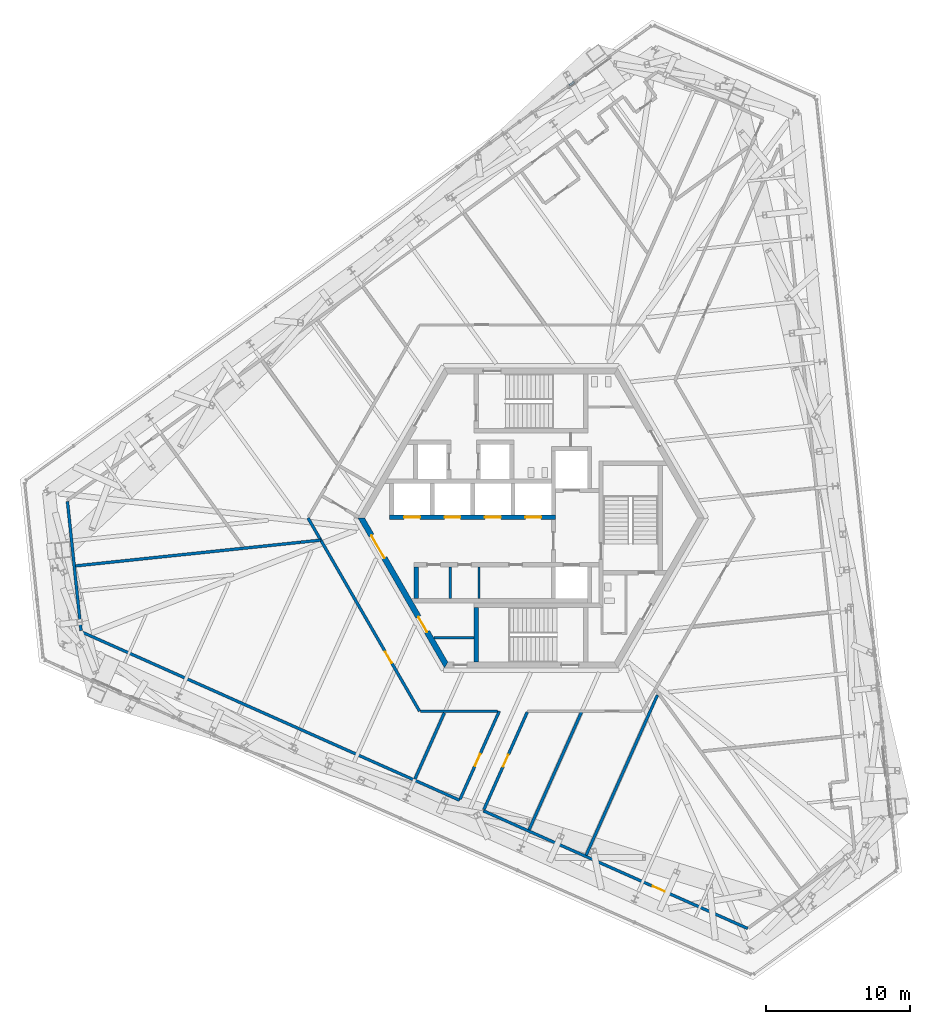
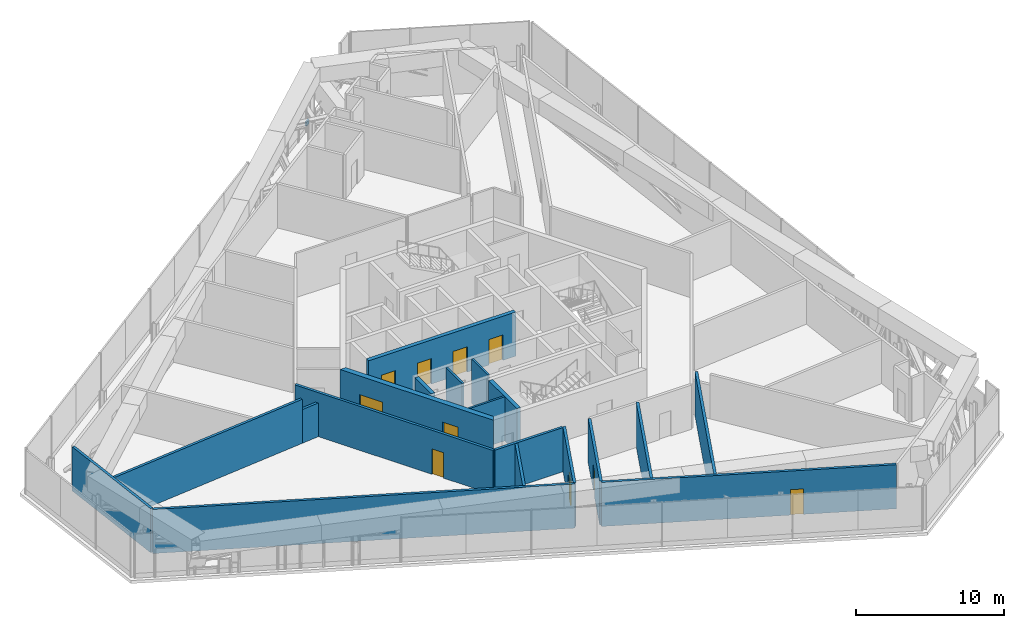
# One storey, part 17 of 30: 19 walls, 10 doors, 1 plate, 10 openings, 1 element without a shape of its own.
"""IFC4 building model written with IfcOpenShell, lengths in metres."""

from ifc_helpers import new_model, si_unit, direction, frame, frame_2d, origin, origin_2d, place, context, subcontext, project, spatial, polyline, rectangle, outline, extrude, source, transform, mapped, material, layer, layer_set, type_object, element, fill, aggregate, save


model = new_model("IFC4")

# Units and contexts
model_context = context("Model", 3, precision=1e-05, world=origin(), true_north=direction((0.0, 1.0)))
body_context = subcontext(model_context, "Body", "Model", "MODEL_VIEW")
ifc_project = project(units=[si_unit("LENGTHUNIT", "METRE"), si_unit("AREAUNIT", "SQUARE_METRE"), si_unit("VOLUMEUNIT", "CUBIC_METRE"), si_unit("PLANEANGLEUNIT", "RADIAN"), si_unit("MASSUNIT", "GRAM", prefix="KILO")], contexts=[model_context])

# Site, building, storey
site_placement = place(None, origin())
site = spatial("IfcSite", under=ifc_project, at=site_placement, CompositionType="ELEMENT")
building_placement = place(site_placement, origin())
building = spatial("IfcBuilding", under=site, at=building_placement, Name="Triune Harvest Tower", CompositionType="ELEMENT")
storey_placement = place(building_placement, frame((0.0, 0.0, 94.5)))
storey = spatial("IfcBuildingStorey", under=building, at=storey_placement, Name="L23", CompositionType="ELEMENT", Elevation=94.5)

# Curtain wall, plate
ifc_material_1 = material(Name="Aluminium bronze anodised", Category="aluminium")
curtain_wall_type = type_object("IfcCurtainWallType", Name="CW-5 Plant louvre wall", PredefinedType="NOTDEFINED", material=ifc_material_1)
curtain_wall_placement = place(storey_placement, origin())
curtain_wall = element("IfcCurtainWall", 1, at=curtain_wall_placement, inside=storey, type_object=curtain_wall_type, Name="CW-5 B2-F3 L23 run 401")
ifc_material_2 = material(Name="Aluminium bronze anodised", Category="aluminium")
ifc_layer_1 = layer(ifc_material_2, 0.1201171875)
ifc_layer_set_1 = layer_set([ifc_layer_1], Name="Aluminium bronze anodised")
plate_type = type_object("IfcPlateType", Name="GL-5 panel 120", PredefinedType="CURTAIN_PANEL", material=ifc_layer_set_1)
shared_shape_1 = source(origin(), body_context, "Body", "SweptSolid", [
    extrude(rectangle(XDim=0.412841796875, YDim=0.1201171875, at=origin_2d()), origin(), (0.0, 0.0, 1.0), 0.363037109375),
])
plate_placement = place(storey_placement, frame((2.8271484375, 30.110107421875, 0.39990234375), z_axis=(0.0, 0.0, 1.0), x_axis=(-0.808977537151, -0.587839556669, 0.0)))
plate = element("IfcPlate", 2, at=plate_placement, type_object=plate_type, Name="CW-5 panel B2-F3 401.1", PredefinedType="CURTAIN_PANEL", context=body_context, shape_type="MappedRepresentation", body=[
    mapped(shared_shape_1, transform((0.0, 0.0, 0.0), scale=1.0)),
])
aggregate(curtain_wall, [plate])

# Wall
ifc_material_3 = material(Name="Concrete masonry unit", Category="masonry")
ifc_layer_2 = layer(ifc_material_3, 0.14990234375)
ifc_layer_set_2 = layer_set([ifc_layer_2], Name="Concrete masonry unit")
wall_type_1 = type_object("IfcWallType", Name="Block partition 150", PredefinedType="PARTITIONING", material=ifc_layer_set_2)
wall_1_placement = place(storey_placement, frame((-6.72705078125, -8.300048828125, 0.0), z_axis=(0.0, 0.0, 1.0), x_axis=(1.0, 0.0, 0.0)))
element("IfcWall", 3, at=wall_1_placement, inside=storey, type_object=wall_type_1, Name="Sw part wall", PredefinedType="PARTITIONING", context=body_context, shape_type="SweptSolid", body=[
    extrude(rectangle(XDim=2.777099609375, YDim=0.14990234375, at=frame_2d((1.388671875, 0.0))), origin(), (0.0, 0.0, 1.0), 3.639892578125),
])

# Wall, openings, doors
ifc_material_4 = material(Name="Concrete 70 MPa", Category="concrete")
ifc_layer_3 = layer(ifc_material_4, 0.300048828125)
ifc_layer_set_3 = layer_set([ifc_layer_3], Name="Concrete 70 MPa")
wall_type_2 = type_object("IfcWallType", Name="Core wall 300", PredefinedType="SHEAR", material=ifc_layer_set_3)
wall_2_placement = place(storey_placement, frame((-9.800048828125, 0.06005859375, 0.0), z_axis=(0.0, 0.0, 1.0), x_axis=(1.0, 0.0, 0.0)))
wall_2 = element("IfcWall", 4, at=wall_2_placement, inside=storey, type_object=wall_type_2, Name="North front wall", PredefinedType="SHEAR", context=body_context, shape_type="SweptSolid", body=[
    extrude(rectangle(XDim=11.5, YDim=0.300048828125, at=frame_2d((5.75, 0.0))), origin(), (0.0, 0.0, 1.0), 3.639892578125),
])
opening_1_placement = place(wall_2_placement, frame((1.0, 0.0, 0.0)))
opening_1 = element("IfcOpeningElement", 5, at=opening_1_placement, cuts=wall_2, Name="Opening LD-LR1-23", PredefinedType="OPENING", context=body_context, shape_type="SweptSolid", body=[
    extrude(rectangle(XDim=1.10009765625, YDim=2.10009765625, at=frame_2d((0.550048828125, 1.050048828125))), frame((0.0, 0.16015625, 0.0), z_axis=(0.0, -1.0, 0.0), x_axis=(1.0, 0.0, 0.0)), (0.0, 0.0, 1.0), 0.320068359375),
])
opening_2_placement = place(wall_2_placement, frame((3.800048828125, 0.0, 0.0)))
opening_2 = element("IfcOpeningElement", 6, at=opening_2_placement, cuts=wall_2, Name="Opening LD-LR2-23", PredefinedType="OPENING", context=body_context, shape_type="SweptSolid", body=[
    extrude(rectangle(XDim=1.10009765625, YDim=2.10009765625, at=frame_2d((0.550048828125, 1.050048828125))), frame((0.0, 0.16015625, 0.0), z_axis=(0.0, -1.0, 0.0), x_axis=(1.0, 0.0, 0.0)), (0.0, 0.0, 1.0), 0.320068359375),
])
opening_3_placement = place(wall_2_placement, frame((6.60009765625, 0.0, 0.0)))
opening_3 = element("IfcOpeningElement", 7, at=opening_3_placement, cuts=wall_2, Name="Opening LD-LR3-23", PredefinedType="OPENING", context=body_context, shape_type="SweptSolid", body=[
    extrude(rectangle(XDim=1.10009765625, YDim=2.10009765625, at=frame_2d((0.550048828125, 1.050048828125))), frame((0.0, 0.16015625, 0.0), z_axis=(0.0, -1.0, 0.0), x_axis=(1.0, 0.0, 0.0)), (0.0, 0.0, 1.0), 0.320068359375),
])
opening_4_placement = place(wall_2_placement, frame((9.39990234375, 0.0, 0.0)))
opening_4 = element("IfcOpeningElement", 8, at=opening_4_placement, cuts=wall_2, Name="Opening LD-LR4-23", PredefinedType="OPENING", context=body_context, shape_type="SweptSolid", body=[
    extrude(rectangle(XDim=1.10009765625, YDim=2.10009765625, at=frame_2d((0.550048828125, 1.050048828125))), frame((0.0, 0.16015625, 0.0), z_axis=(0.0, -1.0, 0.0), x_axis=(1.0, 0.0, 0.0)), (0.0, 0.0, 1.0), 0.320068359375),
])
ifc_material_5 = material(Name="Stainless steel AISI 304", Category="steel")
door_type_1 = type_object("IfcDoorType", Name="Landing door 1100 x 2100", OperationType="DOUBLE_DOOR_SLIDING", PredefinedType="DOOR", material=ifc_material_5)
door_1_placement = place(opening_1_placement, origin())
door_1 = element("IfcDoor", 9, at=door_1_placement, inside=storey, type_object=door_type_1, Name="Door LD-LR1-23", OperationType="DOUBLE_DOOR_SLIDING", OverallHeight=2.10009765625, OverallWidth=1.10009765625, PredefinedType="DOOR", context=body_context, shape_type="SweptSolid", body=[
    extrude(rectangle(XDim=1.10009765625, YDim=2.10009765625, at=frame_2d((0.550048828125, 1.050048828125))), frame((0.0, 0.02490234375, 0.0), z_axis=(0.0, -1.0, 0.0), x_axis=(1.0, 0.0, 0.0)), (0.0, 0.0, 1.0), 0.050048828125),
])
fill(opening_1, door_1)
door_2_placement = place(opening_2_placement, origin())
door_2 = element("IfcDoor", 10, at=door_2_placement, inside=storey, type_object=door_type_1, Name="Door LD-LR2-23", OperationType="DOUBLE_DOOR_SLIDING", OverallHeight=2.10009765625, OverallWidth=1.10009765625, PredefinedType="DOOR", context=body_context, shape_type="SweptSolid", body=[
    extrude(rectangle(XDim=1.10009765625, YDim=2.10009765625, at=frame_2d((0.550048828125, 1.050048828125))), frame((0.0, 0.02490234375, 0.0), z_axis=(0.0, -1.0, 0.0), x_axis=(1.0, 0.0, 0.0)), (0.0, 0.0, 1.0), 0.050048828125),
])
fill(opening_2, door_2)
door_3_placement = place(opening_3_placement, origin())
door_3 = element("IfcDoor", 11, at=door_3_placement, inside=storey, type_object=door_type_1, Name="Door LD-LR3-23", OperationType="DOUBLE_DOOR_SLIDING", OverallHeight=2.10009765625, OverallWidth=1.10009765625, PredefinedType="DOOR", context=body_context, shape_type="SweptSolid", body=[
    extrude(rectangle(XDim=1.10009765625, YDim=2.10009765625, at=frame_2d((0.550048828125, 1.050048828125))), frame((0.0, 0.02490234375, 0.0), z_axis=(0.0, -1.0, 0.0), x_axis=(1.0, 0.0, 0.0)), (0.0, 0.0, 1.0), 0.050048828125),
])
fill(opening_3, door_3)
door_4_placement = place(opening_4_placement, origin())
door_4 = element("IfcDoor", 12, at=door_4_placement, inside=storey, type_object=door_type_1, Name="Door LD-LR4-23", OperationType="DOUBLE_DOOR_SLIDING", OverallHeight=2.10009765625, OverallWidth=1.10009765625, PredefinedType="DOOR", context=body_context, shape_type="SweptSolid", body=[
    extrude(rectangle(XDim=1.10009765625, YDim=2.10009765625, at=frame_2d((0.550048828125, 1.050048828125))), frame((0.0, 0.02490234375, 0.0), z_axis=(0.0, -1.0, 0.0), x_axis=(1.0, 0.0, 0.0)), (0.0, 0.0, 1.0), 0.050048828125),
])
fill(opening_4, door_4)

# Wall
ifc_material_6 = material(Name="Gypsum board on steel studs", Category="steel")
ifc_layer_4 = layer(ifc_material_6, 0.199951171875)
ifc_layer_set_4 = layer_set([ifc_layer_4], Name="Gypsum board on steel studs")
wall_type_3 = type_object("IfcWallType", Name="Fire Wall 200 mm", PredefinedType="PARTITIONING", material=ifc_layer_set_4)
wall_3_placement = place(storey_placement, frame((-32.143310546875, 1.154296875, 0.0), z_axis=(0.0, 0.0, 1.0), x_axis=(0.10452690595, -0.994522059048, 0.0)))
element("IfcWall", 13, at=wall_3_placement, inside=storey, type_object=wall_type_3, Name="Partition L23 001", PredefinedType="PARTITIONING", context=body_context, shape_type="SweptSolid", body=[
    extrude(rectangle(XDim=9.015625, YDim=0.199951171875, at=frame_2d((4.5078125, 0.0))), origin(), (0.0, 0.0, 1.0), 3.639892578125),
])

# Wall, opening, door
wall_4_placement = place(storey_placement, frame((-15.464111328125, 0.000244140625, 0.0), z_axis=(0.0, 0.0, 1.0), x_axis=(0.500010344094, -0.866019431537, 0.0)))
wall_4 = element("IfcWall", 14, at=wall_4_placement, inside=storey, type_object=wall_type_3, Name="Partition L23 006", PredefinedType="PARTITIONING", context=body_context, shape_type="SweptSolid", body=[
    extrude(rectangle(XDim=15.464599609375, YDim=0.199951171875, at=frame_2d((7.732421875, 0.0))), origin(), (0.0, 0.0, 1.0), 3.639892578125),
])
opening_5_placement = place(wall_4_placement, frame((10.705322265625, 0.0, 0.0)))
opening_5 = element("IfcOpeningElement", 15, at=opening_5_placement, cuts=wall_4, Name="Opening L23-015", PredefinedType="OPENING", context=body_context, shape_type="SweptSolid", body=[
    extrude(rectangle(XDim=0.89990234375, YDim=2.10009765625, at=frame_2d((0.449951171875, 1.050048828125))), frame((0.0, 0.10986328125, 0.0), z_axis=(0.0, -1.0, 0.0), x_axis=(1.0, 0.0, 0.0)), (0.0, 0.0, 1.0), 0.219970703125),
])
ifc_material_7 = material(Name="Timber and steel door set", Category="steel")
door_type_2 = type_object("IfcDoorType", Name="Single leaf door FD60 left hand 900 x 2100", OperationType="SINGLE_SWING_LEFT", PredefinedType="DOOR", material=ifc_material_7)
door_5_placement = place(opening_5_placement, origin())
door_5 = element("IfcDoor", 16, at=door_5_placement, inside=storey, type_object=door_type_2, Name="Door L23-015 Air Handling Plant Room 23.15", OperationType="SINGLE_SWING_LEFT", OverallHeight=2.10009765625, OverallWidth=0.89990234375, PredefinedType="DOOR", context=body_context, shape_type="SweptSolid", body=[
    extrude(rectangle(XDim=0.89990234375, YDim=2.10009765625, at=frame_2d((0.449951171875, 1.050048828125))), frame((0.0, 0.02490234375, 0.0), z_axis=(0.0, -1.0, 0.0), x_axis=(1.0, 0.0, 0.0)), (0.0, 0.0, 1.0), 0.050048828125),
])
fill(opening_5, door_5)

# Wall
wall_5_placement = place(storey_placement, frame((-31.193603515625, -7.881591796875, 0.0), z_axis=(0.0, 0.0, 1.0), x_axis=(0.913545309051, -0.406736976817, 0.0)))
element("IfcWall", 17, at=wall_5_placement, inside=storey, type_object=wall_type_3, Name="Partition L23 025", PredefinedType="PARTITIONING", context=body_context, shape_type="SweptSolid", body=[
    extrude(rectangle(XDim=28.72216796875, YDim=0.199951171875, at=frame_2d((14.361083984375, 0.0))), origin(), (0.0, 0.0, 1.0), 3.639892578125),
])

# Wall, opening, door
wall_6_placement = place(storey_placement, frame((-3.310302734375, -20.296142578125, 0.0), z_axis=(0.0, 0.0, 1.0), x_axis=(0.9135443523, -0.406739125707, 0.0)))
wall_6 = element("IfcWall", 18, at=wall_6_placement, inside=storey, type_object=wall_type_3, Name="Partition L23 026", PredefinedType="PARTITIONING", context=body_context, shape_type="SweptSolid", body=[
    extrude(rectangle(XDim=20.06005859375, YDim=0.199951171875, at=frame_2d((10.030029296875, 0.0))), origin(), (0.0, 0.0, 1.0), 3.639892578125),
])
opening_6_placement = place(wall_6_placement, frame((12.860107421875, 0.0, 0.0)))
opening_6 = element("IfcOpeningElement", 19, at=opening_6_placement, cuts=wall_6, Name="Opening L23-019", PredefinedType="OPENING", context=body_context, shape_type="SweptSolid", body=[
    extrude(rectangle(XDim=0.89990234375, YDim=2.10009765625, at=frame_2d((0.449951171875, 1.050048828125))), frame((0.0, 0.10986328125, 0.0), z_axis=(0.0, -1.0, 0.0), x_axis=(1.0, 0.0, 0.0)), (0.0, 0.0, 1.0), 0.219970703125),
])
ifc_material_8 = material(Name="Timber and steel door set", Category="steel")
door_type_3 = type_object("IfcDoorType", Name="Single leaf door FD60 right hand 900 x 2100", OperationType="SINGLE_SWING_RIGHT", PredefinedType="DOOR", material=ifc_material_8)
door_6_placement = place(opening_6_placement, origin())
door_6 = element("IfcDoor", 20, at=door_6_placement, inside=storey, type_object=door_type_3, Name="Door L23-019 Telecom Plant Room 23.19", OperationType="SINGLE_SWING_RIGHT", OverallHeight=2.10009765625, OverallWidth=0.89990234375, PredefinedType="DOOR", context=body_context, shape_type="SweptSolid", body=[
    extrude(rectangle(XDim=0.89990234375, YDim=2.10009765625, at=frame_2d((0.449951171875, 1.050048828125))), frame((0.0, 0.02490234375, 0.0), z_axis=(0.0, -1.0, 0.0), x_axis=(1.0, 0.0, 0.0)), (0.0, 0.0, 1.0), 0.050048828125),
])
fill(opening_6, door_6)

# Walls
wall_7_placement = place(storey_placement, frame((-7.662109375, -13.392333984375, 0.0), z_axis=(0.0, 0.0, 1.0), x_axis=(1.0, 0.0, 0.0)))
element("IfcWall", 21, at=wall_7_placement, inside=storey, type_object=wall_type_3, Name="Partition L23 028", PredefinedType="PARTITIONING", context=body_context, shape_type="SweptSolid", body=[
    extrude(rectangle(XDim=5.3251953125, YDim=0.199951171875, at=frame_2d((2.66259765625, 0.0))), origin(), (0.0, 0.0, 1.0), 3.639892578125),
])
wall_8_placement = place(storey_placement, frame((-31.672119140625, -3.328857421875, 0.0), z_axis=(0.0, 0.0, 1.0), x_axis=(0.994521713692, 0.104530191784, 0.0)))
element("IfcWall", 22, at=wall_8_placement, inside=storey, type_object=wall_type_3, Name="Partition L23 037", PredefinedType="PARTITIONING", context=body_context, shape_type="SweptSolid", body=[
    extrude(rectangle(XDim=15.783935546875, YDim=0.199951171875, at=frame_2d((7.89208984375, 0.0))), origin(), (0.0, 0.0, 1.0), 3.639892578125),
])
wall_9_placement = place(storey_placement, frame((-15.974609375, -1.678955078125, 0.0), z_axis=(0.0, 0.0, 1.0), x_axis=(0.994534022098, 0.104413020693, 0.0)))
element("IfcWall", 23, at=wall_9_placement, inside=storey, type_object=wall_type_3, Name="Partition L23 037a", PredefinedType="PARTITIONING", context=body_context, shape_type="SweptSolid", body=[
    extrude(rectangle(XDim=1.40283203125, YDim=0.199951171875, at=frame_2d((0.701416015625, 0.0))), origin(), (0.0, 0.0, 1.0), 2.781494140625),
])
wall_10_placement = place(storey_placement, frame((3.8134765625, -23.380126953125, 0.0), z_axis=(0.0, 0.0, 1.0), x_axis=(0.40674214116, 0.913543009718, 0.0)))
element("IfcWall", 24, at=wall_10_placement, inside=storey, type_object=wall_type_3, Name="Partition L23 052", PredefinedType="PARTITIONING", context=body_context, shape_type="SweptSolid", body=[
    extrude(rectangle(XDim=12.156005859375, YDim=0.199951171875, at=frame_2d((6.078125, 0.0))), origin(), (0.0, 0.0, 1.0), 3.639892578125),
])
wall_11_placement = place(storey_placement, frame((-0.143310546875, -21.61865234375, 0.0), z_axis=(0.0, 0.0, 1.0), x_axis=(0.406737083136, 0.913545261715, 0.0)))
element("IfcWall", 25, at=wall_11_placement, inside=storey, type_object=wall_type_3, Name="Partition L23 053", PredefinedType="PARTITIONING", context=body_context, shape_type="SweptSolid", body=[
    extrude(rectangle(XDim=9.0048828125, YDim=0.199951171875, at=frame_2d((4.50244140625, 0.0))), origin(), (0.0, 0.0, 1.0), 3.639892578125),
])

# Wall, opening, door
wall_12_placement = place(storey_placement, frame((-3.277587890625, -20.222900390625, 0.0), z_axis=(0.0, 0.0, 1.0), x_axis=(0.406737791756, 0.913544946216, 0.0)))
wall_12 = element("IfcWall", 26, at=wall_12_placement, inside=storey, type_object=wall_type_3, Name="Partition L23 054", PredefinedType="PARTITIONING", context=body_context, shape_type="SweptSolid", body=[
    extrude(rectangle(XDim=7.406982421875, YDim=0.199951171875, at=frame_2d((3.70361328125, 0.0))), origin(), (0.0, 0.0, 1.0), 3.639892578125),
])
opening_7_placement = place(wall_12_placement, frame((3.27001953125, 0.0, 0.0)))
opening_7 = element("IfcOpeningElement", 27, at=opening_7_placement, cuts=wall_12, Name="Opening L23-017", PredefinedType="OPENING", context=body_context, shape_type="SweptSolid", body=[
    extrude(rectangle(XDim=0.89990234375, YDim=2.10009765625, at=frame_2d((0.449951171875, 1.050048828125))), frame((0.0, 0.10986328125, 0.0), z_axis=(0.0, -1.0, 0.0), x_axis=(1.0, 0.0, 0.0)), (0.0, 0.0, 1.0), 0.219970703125),
])
door_7_placement = place(opening_7_placement, origin())
door_7 = element("IfcDoor", 28, at=door_7_placement, inside=storey, type_object=door_type_2, Name="Door L23-017 Switch Room 23.17", OperationType="SINGLE_SWING_LEFT", OverallHeight=2.10009765625, OverallWidth=0.89990234375, PredefinedType="DOOR", context=body_context, shape_type="SweptSolid", body=[
    extrude(rectangle(XDim=0.89990234375, YDim=2.10009765625, at=frame_2d((0.449951171875, 1.050048828125))), frame((0.0, 0.02490234375, 0.0), z_axis=(0.0, -1.0, 0.0), x_axis=(1.0, 0.0, 0.0)), (0.0, 0.0, 1.0), 0.050048828125),
])
fill(opening_7, door_7)

wall_13_placement = place(storey_placement, frame((-4.922119140625, -19.490966796875, 0.0), z_axis=(0.0, 0.0, 1.0), x_axis=(0.406742363929, 0.913542910533, 0.0)))
wall_13 = element("IfcWall", 29, at=wall_13_placement, inside=storey, type_object=wall_type_3, Name="Partition L23 056", PredefinedType="PARTITIONING", context=body_context, shape_type="SweptSolid", body=[
    extrude(rectangle(XDim=6.67578125, YDim=0.199951171875, at=frame_2d((3.337890625, 0.0))), origin(), (0.0, 0.0, 1.0), 3.639892578125),
])
opening_8_placement = place(wall_13_placement, frame((2.523681640625, 0.0, 0.0)))
opening_8 = element("IfcOpeningElement", 30, at=opening_8_placement, cuts=wall_13, Name="Opening L23-016", PredefinedType="OPENING", context=body_context, shape_type="SweptSolid", body=[
    extrude(rectangle(XDim=0.89990234375, YDim=2.10009765625, at=frame_2d((0.449951171875, 1.050048828125))), frame((0.0, 0.10986328125, 0.0), z_axis=(0.0, -1.0, 0.0), x_axis=(1.0, 0.0, 0.0)), (0.0, 0.0, 1.0), 0.219970703125),
])
door_8_placement = place(opening_8_placement, origin())
door_8 = element("IfcDoor", 31, at=door_8_placement, inside=storey, type_object=door_type_2, Name="Door L23-016 Pump Room 23.16", OperationType="SINGLE_SWING_LEFT", OverallHeight=2.10009765625, OverallWidth=0.89990234375, PredefinedType="DOOR", context=body_context, shape_type="SweptSolid", body=[
    extrude(rectangle(XDim=0.89990234375, YDim=2.10009765625, at=frame_2d((0.449951171875, 1.050048828125))), frame((0.0, 0.02490234375, 0.0), z_axis=(0.0, -1.0, 0.0), x_axis=(1.0, 0.0, 0.0)), (0.0, 0.0, 1.0), 0.050048828125),
])
fill(opening_8, door_8)

# Wall, openings, doors
ifc_material_9 = material(Name="Concrete 70 MPa", Category="concrete")
ifc_layer_5 = layer(ifc_material_9, 0.39990234375)
ifc_layer_set_5 = layer_set([ifc_layer_5], Name="Concrete 70 MPa")
wall_type_4 = type_object("IfcWallType", Name="Core wall 400", PredefinedType="SHEAR", material=ifc_layer_set_5)
shared_shape_2 = source(origin(), body_context, "Body", "SweptSolid", [
    extrude(outline(polyline([(-0.115478515625, -0.199951171875), (11.884521484375, -0.199951171875), (11.653564453125, 0.199951171875), (0.115478515625, 0.199951171875), (-0.115478515625, -0.199951171875)])), origin(), (0.0, 0.0, 1.0), 3.639892578125),
])
wall_14_placement = place(storey_placement, frame((-11.76904296875, 0.0, 0.0), z_axis=(0.0, 0.0, 1.0), x_axis=(0.499996592174, -0.866027371285, 0.0)))
wall_14 = element("IfcWall", 32, at=wall_14_placement, inside=storey, type_object=wall_type_4, Name="Hexagon 3 wall", PredefinedType="SHEAR", context=body_context, shape_type="MappedRepresentation", body=[
    mapped(shared_shape_2, transform((0.0, 0.0, 0.0), scale=1.0)),
])
opening_9_placement = place(wall_14_placement, frame((1.404541015625, 0.0, 0.0)))
opening_9 = element("IfcOpeningElement", 33, at=opening_9_placement, cuts=wall_14, Name="Opening CD-LS", PredefinedType="OPENING", context=body_context, shape_type="SweptSolid", body=[
    extrude(rectangle(XDim=1.800048828125, YDim=2.10009765625, at=frame_2d((0.89990234375, 1.050048828125))), frame((0.0, 0.2099609375, 0.0), z_axis=(0.0, -1.0, 0.0), x_axis=(1.0, 0.0, 0.0)), (0.0, 0.0, 1.0), 0.419921875),
])
opening_10_placement = place(wall_14_placement, frame((7.91455078125, 0.0, 0.0)))
opening_10 = element("IfcOpeningElement", 34, at=opening_10_placement, cuts=wall_14, Name="Opening CD-SWP", PredefinedType="OPENING", context=body_context, shape_type="SweptSolid", body=[
    extrude(rectangle(XDim=1.199951171875, YDim=2.10009765625, at=frame_2d((0.60009765625, 1.050048828125))), frame((0.0, 0.2099609375, 0.0), z_axis=(0.0, -1.0, 0.0), x_axis=(1.0, 0.0, 0.0)), (0.0, 0.0, 1.0), 0.419921875),
])
ifc_material_10 = material(Name="Steel S235", Category="steel")
door_type_4 = type_object("IfcDoorType", Name="Lobby door 1800 FD120", OperationType="DOUBLE_DOOR_DOUBLE_SWING", PredefinedType="DOOR", material=ifc_material_10)
door_9_placement = place(opening_9_placement, frame((1.800048828125, 0.0, 0.0), z_axis=(0.0, 0.0, 1.0), x_axis=(-1.0, 0.0, 0.0)))
door_9 = element("IfcDoor", 35, at=door_9_placement, inside=storey, type_object=door_type_4, Name="Door CD-LS", OperationType="DOUBLE_DOOR_DOUBLE_SWING", OverallHeight=2.10009765625, OverallWidth=1.800048828125, PredefinedType="DOOR", context=body_context, shape_type="SweptSolid", body=[
    extrude(rectangle(XDim=1.800048828125, YDim=2.10009765625, at=frame_2d((0.89990234375, 1.050048828125))), frame((0.0, 0.02490234375, 0.0), z_axis=(0.0, -1.0, 0.0), x_axis=(1.0, 0.0, 0.0)), (0.0, 0.0, 1.0), 0.050048828125),
])
fill(opening_9, door_9)
ifc_material_11 = material(Name="Steel S235", Category="steel")
door_type_5 = type_object("IfcDoorType", Name="Service door 1200 FD120", OperationType="SINGLE_SWING_LEFT", PredefinedType="DOOR", material=ifc_material_11)
door_10_placement = place(opening_10_placement, frame((1.199951171875, 0.0, 0.0), z_axis=(0.0, 0.0, 1.0), x_axis=(-1.0, 0.0, 0.0)))
door_10 = element("IfcDoor", 36, at=door_10_placement, inside=storey, type_object=door_type_5, Name="Door CD-SWP", OperationType="SINGLE_SWING_RIGHT", OverallHeight=2.10009765625, OverallWidth=1.199951171875, PredefinedType="DOOR", context=body_context, shape_type="SweptSolid", body=[
    extrude(rectangle(XDim=1.199951171875, YDim=2.10009765625, at=frame_2d((0.60009765625, 1.050048828125))), frame((0.0, 0.02490234375, 0.0), z_axis=(0.0, -1.0, 0.0), x_axis=(1.0, 0.0, 0.0)), (0.0, 0.0, 1.0), 0.050048828125),
])
fill(opening_10, door_10)

# Walls
shared_shape_3 = source(origin(), body_context, "Body", "SweptSolid", [
    extrude(rectangle(XDim=2.2001953125, YDim=0.300048828125, at=frame_2d((1.10009765625, 0.0))), origin(), (0.0, 0.0, 1.0), 3.639892578125),
])
wall_15_placement = place(storey_placement, frame((-7.949951171875, -5.590087890625, 0.0), z_axis=(0.0, 0.0, 1.0), x_axis=(0.0, 1.0, 0.0)))
element("IfcWall", 37, at=wall_15_placement, inside=storey, type_object=wall_type_2, Name="South end west wall", PredefinedType="SHEAR", context=body_context, shape_type="MappedRepresentation", body=[
    mapped(shared_shape_3, transform((0.0, 0.0, 0.0), scale=1.0)),
])
shared_shape_4 = source(origin(), body_context, "Body", "SweptSolid", [
    extrude(outline(polyline([(3.800048828125, -0.14990234375), (-0.00439453125, -0.14990234375), (-0.00439453125, 0.14990234375), (3.800048828125, 0.14990234375), (3.800048828125, -0.14990234375)])), origin(), (0.0, 0.0, 1.0), 3.639892578125),
])
wall_16_placement = place(storey_placement, frame((-3.800048828125, -9.989990234375, 0.0), z_axis=(0.0, 0.0, 1.0), x_axis=(0.0, 1.0, 0.0)))
element("IfcWall", 38, at=wall_16_placement, inside=storey, type_object=wall_type_2, Name="Stair s west wall", PredefinedType="SHEAR", context=body_context, shape_type="MappedRepresentation", body=[
    mapped(shared_shape_4, transform((0.0, 0.0, 0.0), scale=1.0)),
])
shared_shape_5 = source(origin(), body_context, "Body", "SweptSolid", [
    extrude(rectangle(XDim=2.2001953125, YDim=0.14990234375, at=frame_2d((1.10009765625, 0.0))), origin(), (0.0, 0.0, 1.0), 3.639892578125),
])
for number, where, z_axis, x_axis, name in (
    (39, (-5.60009765625, -5.590087890625, 0.0), (0.0, 0.0, 1.0), (0.0, 1.0, 0.0), "Row s part 1 wall"),
    (40, (-3.60009765625, -5.590087890625, 0.0), (0.0, 0.0, 1.0), (0.0, 1.0, 0.0), "Row s part 2 wall"),
):
    element("IfcWall", number, at=place(storey_placement, frame(where, z_axis=z_axis, x_axis=x_axis)), inside=storey, type_object=wall_type_1, Name=name, PredefinedType="PARTITIONING", context=body_context, shape_type="MappedRepresentation", body=[
        mapped(shared_shape_5, transform((0.0, 0.0, 0.0), scale=1.0)),
    ])
shared_shape_6 = source(origin(), body_context, "Body", "SweptSolid", [
    extrude(rectangle(XDim=5.01806640625, YDim=0.199951171875, at=frame_2d((2.509033203125, 0.0))), origin(), (0.0, 0.0, 1.0), 3.639892578125),
])
wall_17_placement = place(storey_placement, frame((-8.056396484375, -18.09521484375, 0.0), z_axis=(0.0, 0.0, 1.0), x_axis=(0.406734246485, 0.91354652467, 0.0)))
element("IfcWall", 41, at=wall_17_placement, inside=storey, type_object=wall_type_3, Name="Partition L23 059", PredefinedType="PARTITIONING", context=body_context, shape_type="MappedRepresentation", body=[
    mapped(shared_shape_6, transform((0.0, 0.0, 0.0), scale=1.0)),
])

save(model, "model.ifc")
